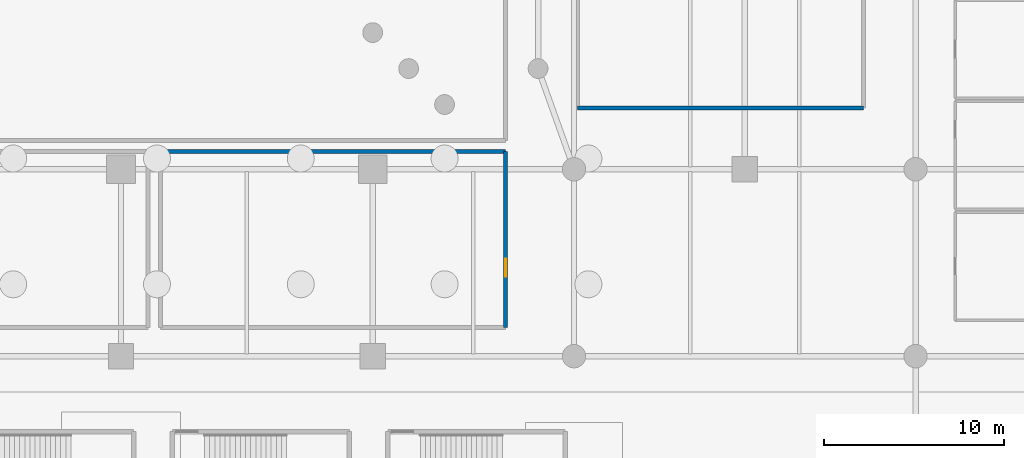
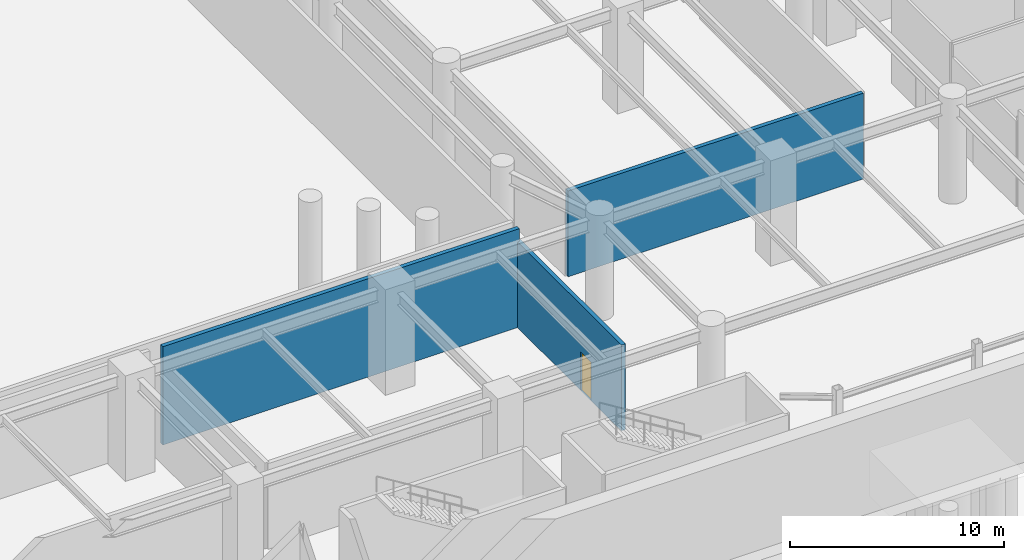
# One storey, part 18 of 37: 3 walls, 1 door, 1 opening.
"""IFC4 building model written with IfcOpenShell, lengths in metres."""

from ifc_helpers import new_model, si_unit, direction, frame, frame_2d, origin, place, context, subcontext, project, spatial, rectangle, extrude, material, layer, layer_set, type_object, element, fill, save


model = new_model("IFC4")

# Units and contexts
model_context = context("Model", 3, precision=1e-05, world=origin(), true_north=direction((0.0, 1.0)))
body_context = subcontext(model_context, "Body", "Model", "MODEL_VIEW")
ifc_project = project(units=[si_unit("LENGTHUNIT", "METRE"), si_unit("AREAUNIT", "SQUARE_METRE"), si_unit("VOLUMEUNIT", "CUBIC_METRE"), si_unit("PLANEANGLEUNIT", "RADIAN"), si_unit("MASSUNIT", "GRAM", prefix="KILO")], contexts=[model_context])

# Site, building, storey
site_placement = place(None, origin())
site = spatial("IfcSite", under=ifc_project, at=site_placement, CompositionType="ELEMENT")
building_placement = place(site_placement, origin())
building = spatial("IfcBuilding", under=site, at=building_placement, Name="Narakoshi Arena Tower", CompositionType="ELEMENT")
storey_placement = place(building_placement, frame((0.0, 0.0, -6.0)))
storey = spatial("IfcBuildingStorey", under=building, at=storey_placement, Name="B01", CompositionType="ELEMENT", Elevation=-6.0)

# Wall, opening, door
ifc_material_1 = material(Name="Concrete C40/50", Category="concrete")
ifc_layer = layer(ifc_material_1, 0.219970703125)
ifc_layer_set = layer_set([ifc_layer], Name="Concrete C40/50")
wall_type = type_object("IfcWallType", Name="WL-COMP-220", PredefinedType="SOLIDWALL", material=ifc_layer_set)
wall_1_placement = place(storey_placement, frame((47.39990234375, 11.60009765625, 0.0), z_axis=(0.0, 0.0, 1.0), x_axis=(0.0, 1.0, 0.0)))
wall_1 = element("IfcWall", 1, at=wall_1_placement, inside=storey, type_object=wall_type, Name="B01 Team B Athlete Changing Room Wall E", PredefinedType="SOLIDWALL", context=body_context, shape_type="SweptSolid", body=[
    extrude(rectangle(XDim=9.7998046875, YDim=0.219970703125, at=frame_2d((4.89990234375, 0.0))), origin(), (0.0, 0.0, 1.0), 4.885009765625),
])
opening_placement = place(wall_1_placement, frame((2.81591796875, 0.0, 0.0)))
opening = element("IfcOpeningElement", 2, at=opening_placement, cuts=wall_1, Name="Opening D-06", PredefinedType="OPENING", context=body_context, shape_type="SweptSolid", body=[
    extrude(rectangle(XDim=1.0, YDim=2.199951171875, at=frame_2d((0.5, 1.10009765625))), frame((0.0, 0.119873046875, 0.0), z_axis=(0.0, -1.0, 0.0), x_axis=(1.0, 0.0, 0.0)), (0.0, 0.0, 1.0), 0.239990234375),
])
ifc_material_2 = material(Name="Stained oak solid-core timber", Category="wood")
door_type = type_object("IfcDoorType", Name="DR-OFF-1000", OperationType="NOTDEFINED", PredefinedType="DOOR", material=ifc_material_2)
door_placement = place(opening_placement, frame((1.0, 0.0, 0.0), z_axis=(0.0, 0.0, 1.0), x_axis=(-1.0, 0.0, 0.0)))
door = element("IfcDoor", 3, at=door_placement, inside=storey, type_object=door_type, Name="DR-B01-026", OperationType="SINGLE_SWING_RIGHT", OverallHeight=2.199951171875, OverallWidth=1.0, PredefinedType="DOOR", context=body_context, shape_type="SweptSolid", body=[
    extrude(rectangle(XDim=1.0, YDim=2.199951171875, at=frame_2d((0.5, 1.10009765625))), frame((0.0, 0.02490234375, 0.0), z_axis=(0.0, -1.0, 0.0), x_axis=(1.0, 0.0, 0.0)), (0.0, 0.0, 1.0), 0.050048828125),
])
fill(opening, door)

# Walls
wall_2_placement = place(storey_placement, frame((47.39990234375, 21.39990234375, 0.0), z_axis=(0.0, 0.0, 1.0), x_axis=(-1.0, 0.0, 0.0)))
element("IfcWall", 4, at=wall_2_placement, inside=storey, type_object=wall_type, Name="B01 Team B Athlete Changing Room Wall N", PredefinedType="SOLIDWALL", context=body_context, shape_type="SweptSolid", body=[
    extrude(rectangle(XDim=19.199951171875, YDim=0.219970703125, at=frame_2d((9.60009765625, 0.0))), origin(), (0.0, 0.0, 1.0), 5.60009765625),
])
wall_3_placement = place(storey_placement, frame((51.39990234375, 23.800048828125, 0.0), z_axis=(0.0, 0.0, 1.0), x_axis=(1.0, 0.0, 0.0)))
element("IfcWall", 5, at=wall_3_placement, inside=storey, type_object=wall_type, Name="B01 Sub-Concourse MEP Equipment Plant Room Wall S", PredefinedType="SOLIDWALL", context=body_context, shape_type="SweptSolid", body=[
    extrude(rectangle(XDim=15.900146484375, YDim=0.219970703125, at=frame_2d((7.9501953125, 0.0))), origin(), (0.0, 0.0, 1.0), 4.885009765625),
])

save(model, "model.ifc")
